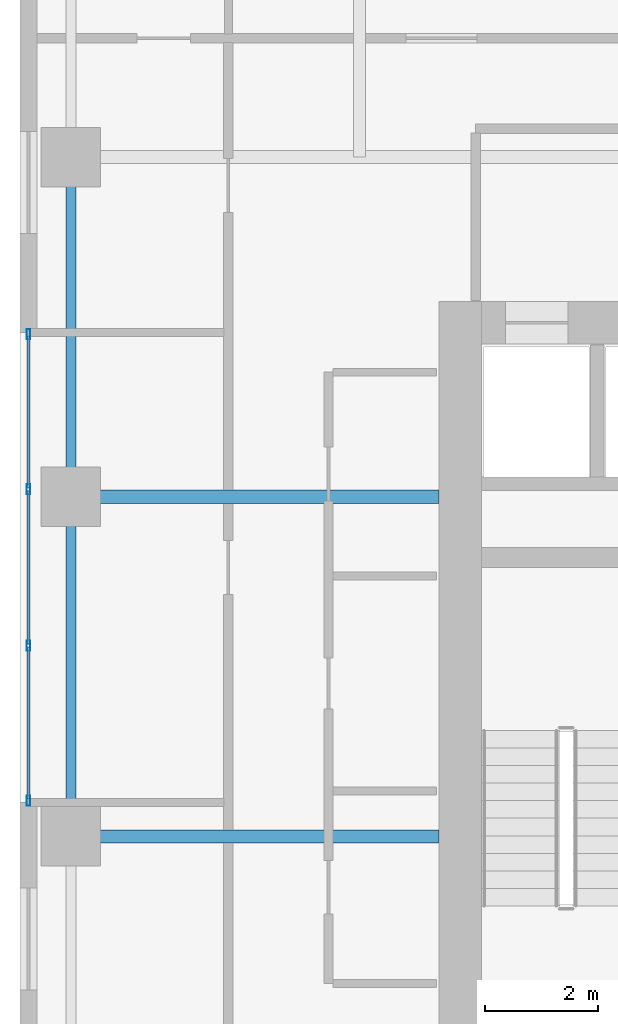
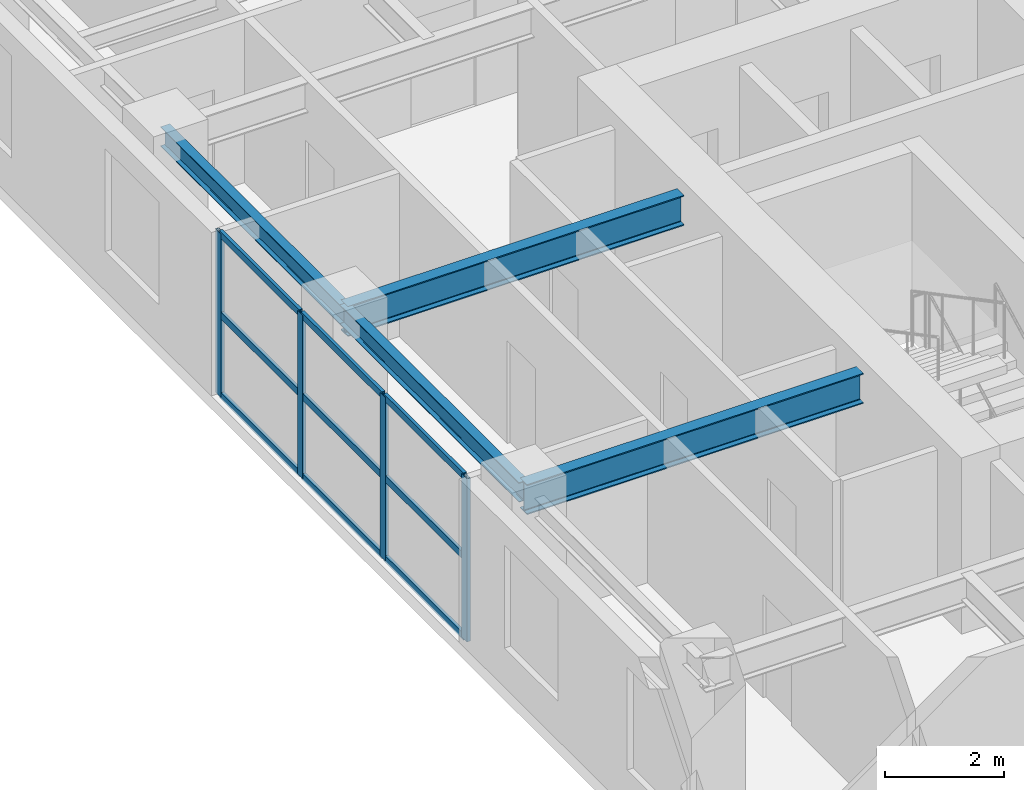
# One storey, part 7 of 18: 13 members, 4 beams, 1 element without a shape of its own.
"""IFC4 building model written with IfcOpenShell, lengths in metres."""

from ifc_helpers import new_model, si_unit, direction, frame, origin, origin_2d, place, context, subcontext, project, spatial, hollow_rectangle, i_section, extrude, source, transform, mapped, material, layer, layer_set, material_profile, profile_set, type_object, element, aggregate, save


model = new_model("IFC4")

# Units and contexts
model_context = context("Model", 3, precision=1e-05, world=origin(), true_north=direction((0.0, 1.0)))
body_context = subcontext(model_context, "Body", "Model", "MODEL_VIEW")
ifc_project = project(units=[si_unit("LENGTHUNIT", "METRE"), si_unit("AREAUNIT", "SQUARE_METRE"), si_unit("VOLUMEUNIT", "CUBIC_METRE"), si_unit("PLANEANGLEUNIT", "RADIAN"), si_unit("MASSUNIT", "GRAM", prefix="KILO")], contexts=[model_context])

# Site, building, storey
site_placement = place(None, origin())
site = spatial("IfcSite", under=ifc_project, at=site_placement, CompositionType="ELEMENT")
building_placement = place(site_placement, origin())
building = spatial("IfcBuilding", under=site, at=building_placement, Name="Khoralis Quay Care Tower", CompositionType="ELEMENT")
storey_placement = place(building_placement, frame((0.0, 0.0, 130.5)))
storey = spatial("IfcBuildingStorey", under=building, at=storey_placement, Name="L34", CompositionType="ELEMENT", Elevation=130.5)

# Beams
ifc_material_1 = material(Name="Steel S355", Category="steel")
ifc_material_profile_1 = material_profile(ifc_material_1, i_section(OverallWidth=0.179931640625, OverallDepth=0.39990234375, WebThickness=0.008544921875, FlangeThickness=0.013427734375, FilletRadius=0.02099609375, at=origin_2d()), Name="Steel S355")
ifc_profile_set_1 = profile_set([ifc_material_profile_1], Name="Steel S355")
beam_type_1 = type_object("IfcBeamType", Name="BM-IPE400", PredefinedType="SPANDREL", material=ifc_profile_set_1)
shared_shape_1 = source(origin(), body_context, "Body", "SweptSolid", [
    extrude(i_section(OverallWidth=0.179931640625, OverallDepth=0.39990234375, WebThickness=0.008544921875, FlangeThickness=0.013427734375, FilletRadius=0.02099609375, at=origin_2d()), origin(), (0.0, 0.0, 1.0), 6.0),
])
for number, where, z_axis, x_axis, name in (
    (1, (0.89990234375, 18.0, 3.139892578125), (0.0, 1.0, 0.0), (-1.0, 0.0, 0.0), "BM-TSP-L34-13"),
    (2, (0.89990234375, 24.0, 3.139892578125), (0.0, 1.0, 0.0), (-1.0, 0.0, 0.0), "BM-TSP-L34-14"),
):
    element("IfcBeam", number, at=place(storey_placement, frame(where, z_axis=z_axis, x_axis=x_axis)), inside=storey, type_object=beam_type_1, Name=name, PredefinedType="SPANDREL", context=body_context, shape_type="MappedRepresentation", body=[
        mapped(shared_shape_1, transform((0.0, 0.0, 0.0), scale=1.0)),
    ])
ifc_material_profile_2 = material_profile(ifc_material_1, i_section(OverallWidth=0.22998046875, OverallDepth=0.616943359375, WebThickness=0.01318359375, FlangeThickness=0.022216796875, FilletRadius=0.01806640625, at=origin_2d()), Name="Steel S355")
ifc_profile_set_2 = profile_set([ifc_material_profile_2], Name="Steel S355")
beam_type_2 = type_object("IfcBeamType", Name="BM-W610X140", PredefinedType="BEAM", material=ifc_profile_set_2)
shared_shape_2 = source(origin(), body_context, "Body", "SweptSolid", [
    extrude(i_section(OverallWidth=0.22998046875, OverallDepth=0.616943359375, WebThickness=0.01318359375, FlangeThickness=0.022216796875, FilletRadius=0.01806640625, at=origin_2d()), origin(), (0.0, 0.0, 1.0), 6.502197265625),
])
for number, where, z_axis, x_axis, name in (
    (3, (0.89990234375, 18.0, 3.031494140625), (1.0, 0.0, 0.0), (0.0, 1.0, 0.0), "BM-TGXW-L34-180"),
    (4, (0.89990234375, 24.0, 3.031494140625), (1.0, 0.0, 0.0), (0.0, 1.0, 0.0), "BM-TGXW-L34-240"),
):
    element("IfcBeam", number, at=place(storey_placement, frame(where, z_axis=z_axis, x_axis=x_axis)), inside=storey, type_object=beam_type_2, Name=name, PredefinedType="BEAM", context=body_context, shape_type="MappedRepresentation", body=[
        mapped(shared_shape_2, transform((0.0, 0.0, 0.0), scale=1.0)),
    ])

# Curtain wall, members
ifc_material_2 = material(Name="Pale anodised aluminium", Category="aluminium")
ifc_layer = layer(ifc_material_2, 0.169921875)
ifc_layer_set = layer_set([ifc_layer], Name="Pale anodised aluminium")
curtain_wall_type = type_object("IfcCurtainWallType", Name="CW-SYS-Z2", PredefinedType="NOTDEFINED", material=ifc_layer_set)
curtain_wall_placement = place(storey_placement, origin())
curtain_wall = element("IfcCurtainWall", 5, at=curtain_wall_placement, inside=storey, type_object=curtain_wall_type, Name="L34 Unitised Curtain Wall CW-L34-P1-E15", PredefinedType="NOTDEFINED")
ifc_material_profile_3 = material_profile(ifc_material_2, hollow_rectangle(XDim=0.06494140625, YDim=0.179931640625, WallThickness=0.00390625, at=origin_2d()), Name="Pale anodised aluminium")
ifc_profile_set_3 = profile_set([ifc_material_profile_3], Name="Pale anodised aluminium")
member_type_1 = type_object("IfcMemberType", Name="CW-MUL-180", PredefinedType="MULLION", material=ifc_profile_set_3)
shared_shape_3 = source(origin(), body_context, "Body", "SweptSolid", [
    extrude(hollow_rectangle(XDim=0.06494140625, YDim=0.179931640625, WallThickness=0.00390625, at=origin_2d()), origin(), (0.0, 0.0, 1.0), 3.340087890625),
])
member_1_placement = place(storey_placement, frame((0.14990234375, 26.8701171875, 0.0), z_axis=(0.0, 0.0, 1.0), x_axis=(1.0, 0.0, 0.0)))
member_1 = element("IfcMember", 6, at=member_1_placement, type_object=member_type_1, Name="CW2 mullion 1", PredefinedType="MULLION", context=body_context, shape_type="MappedRepresentation", body=[
    mapped(shared_shape_3, transform((0.0, 0.0, 0.0), scale=1.0)),
])
member_2_placement = place(storey_placement, frame((0.14990234375, 24.13330078125, 0.0), z_axis=(0.0, 0.0, 1.0), x_axis=(1.0, 0.0, 0.0)))
member_2 = element("IfcMember", 7, at=member_2_placement, type_object=member_type_1, Name="CW2 mullion 2", PredefinedType="MULLION", context=body_context, shape_type="MappedRepresentation", body=[
    mapped(shared_shape_3, transform((0.0, 0.0, 0.0), scale=1.0)),
])
member_3_placement = place(storey_placement, frame((0.14990234375, 21.36669921875, 0.0), z_axis=(0.0, 0.0, 1.0), x_axis=(1.0, 0.0, 0.0)))
member_3 = element("IfcMember", 8, at=member_3_placement, type_object=member_type_1, Name="CW2 mullion 3", PredefinedType="MULLION", context=body_context, shape_type="MappedRepresentation", body=[
    mapped(shared_shape_3, transform((0.0, 0.0, 0.0), scale=1.0)),
])
member_4_placement = place(storey_placement, frame((0.14990234375, 18.6298828125, 0.0), z_axis=(0.0, 0.0, 1.0), x_axis=(1.0, 0.0, 0.0)))
member_4 = element("IfcMember", 9, at=member_4_placement, type_object=member_type_1, Name="CW2 mullion 4", PredefinedType="MULLION", context=body_context, shape_type="MappedRepresentation", body=[
    mapped(shared_shape_3, transform((0.0, 0.0, 0.0), scale=1.0)),
])
ifc_material_profile_4 = material_profile(ifc_material_2, hollow_rectangle(XDim=0.06005859375, YDim=0.139892578125, WallThickness=0.00390625, at=origin_2d()), Name="Pale anodised aluminium")
ifc_profile_set_4 = profile_set([ifc_material_profile_4], Name="Pale anodised aluminium")
member_type_2 = type_object("IfcMemberType", Name="CW-TRN-140", PredefinedType="USERDEFINED", material=ifc_profile_set_4)
shared_shape_4 = source(origin(), body_context, "Body", "SweptSolid", [
    extrude(hollow_rectangle(XDim=0.06005859375, YDim=0.139892578125, WallThickness=0.00390625, at=origin_2d()), origin(), (0.0, 0.0, 1.0), 2.6767578125),
])
member_5_placement = place(storey_placement, frame((0.14990234375, 26.840087890625, 0.030029296875), z_axis=(0.0, -1.0, 0.0), x_axis=(1.0, 0.0, 0.0)))
member_5 = element("IfcMember", 10, at=member_5_placement, type_object=member_type_2, Name="CW2 transom 1.1", ObjectType="TRANSOM", PredefinedType="USERDEFINED", context=body_context, shape_type="MappedRepresentation", body=[
    mapped(shared_shape_4, transform((0.0, 0.0, 0.0), scale=1.0)),
])
member_6_placement = place(storey_placement, frame((0.14990234375, 26.840087890625, 1.669921875), z_axis=(0.0, -1.0, 0.0), x_axis=(1.0, 0.0, 0.0)))
member_6 = element("IfcMember", 11, at=member_6_placement, type_object=member_type_2, Name="CW2 transom 1.2", ObjectType="TRANSOM", PredefinedType="USERDEFINED", context=body_context, shape_type="MappedRepresentation", body=[
    mapped(shared_shape_4, transform((0.0, 0.0, 0.0), scale=1.0)),
])
member_7_placement = place(storey_placement, frame((0.14990234375, 26.840087890625, 3.31005859375), z_axis=(0.0, -1.0, 0.0), x_axis=(1.0, 0.0, 0.0)))
member_7 = element("IfcMember", 12, at=member_7_placement, type_object=member_type_2, Name="CW2 transom 1.3", ObjectType="TRANSOM", PredefinedType="USERDEFINED", context=body_context, shape_type="MappedRepresentation", body=[
    mapped(shared_shape_4, transform((0.0, 0.0, 0.0), scale=1.0)),
])
member_8_placement = place(storey_placement, frame((0.14990234375, 21.336669921875, 0.030029296875), z_axis=(0.0, -1.0, 0.0), x_axis=(1.0, 0.0, 0.0)))
member_8 = element("IfcMember", 13, at=member_8_placement, type_object=member_type_2, Name="CW2 transom 3.1", ObjectType="TRANSOM", PredefinedType="USERDEFINED", context=body_context, shape_type="MappedRepresentation", body=[
    mapped(shared_shape_4, transform((0.0, 0.0, 0.0), scale=1.0)),
])
member_9_placement = place(storey_placement, frame((0.14990234375, 21.336669921875, 1.669921875), z_axis=(0.0, -1.0, 0.0), x_axis=(1.0, 0.0, 0.0)))
member_9 = element("IfcMember", 14, at=member_9_placement, type_object=member_type_2, Name="CW2 transom 3.2", ObjectType="TRANSOM", PredefinedType="USERDEFINED", context=body_context, shape_type="MappedRepresentation", body=[
    mapped(shared_shape_4, transform((0.0, 0.0, 0.0), scale=1.0)),
])
member_10_placement = place(storey_placement, frame((0.14990234375, 21.336669921875, 3.31005859375), z_axis=(0.0, -1.0, 0.0), x_axis=(1.0, 0.0, 0.0)))
member_10 = element("IfcMember", 15, at=member_10_placement, type_object=member_type_2, Name="CW2 transom 3.3", ObjectType="TRANSOM", PredefinedType="USERDEFINED", context=body_context, shape_type="MappedRepresentation", body=[
    mapped(shared_shape_4, transform((0.0, 0.0, 0.0), scale=1.0)),
])
shared_shape_5 = source(origin(), body_context, "Body", "SweptSolid", [
    extrude(hollow_rectangle(XDim=0.06005859375, YDim=0.139892578125, WallThickness=0.00390625, at=origin_2d()), origin(), (0.0, 0.0, 1.0), 2.70654296875),
])
member_11_placement = place(storey_placement, frame((0.14990234375, 24.103271484375, 0.030029296875), z_axis=(0.0, -1.0, 0.0), x_axis=(1.0, 0.0, 0.0)))
member_11 = element("IfcMember", 16, at=member_11_placement, type_object=member_type_2, Name="CW2 transom 2.1", ObjectType="TRANSOM", PredefinedType="USERDEFINED", context=body_context, shape_type="MappedRepresentation", body=[
    mapped(shared_shape_5, transform((0.0, 0.0, 0.0), scale=1.0)),
])
member_12_placement = place(storey_placement, frame((0.14990234375, 24.103271484375, 1.669921875), z_axis=(0.0, -1.0, 0.0), x_axis=(1.0, 0.0, 0.0)))
member_12 = element("IfcMember", 17, at=member_12_placement, type_object=member_type_2, Name="CW2 transom 2.2", ObjectType="TRANSOM", PredefinedType="USERDEFINED", context=body_context, shape_type="MappedRepresentation", body=[
    mapped(shared_shape_5, transform((0.0, 0.0, 0.0), scale=1.0)),
])
member_13_placement = place(storey_placement, frame((0.14990234375, 24.103271484375, 3.31005859375), z_axis=(0.0, -1.0, 0.0), x_axis=(1.0, 0.0, 0.0)))
member_13 = element("IfcMember", 18, at=member_13_placement, type_object=member_type_2, Name="CW2 transom 2.3", ObjectType="TRANSOM", PredefinedType="USERDEFINED", context=body_context, shape_type="MappedRepresentation", body=[
    mapped(shared_shape_5, transform((0.0, 0.0, 0.0), scale=1.0)),
])
aggregate(curtain_wall, [member_1, member_2, member_3, member_4, member_5, member_6, member_7, member_11, member_12, member_13, member_8, member_9, member_10])

save(model, "model.ifc")
